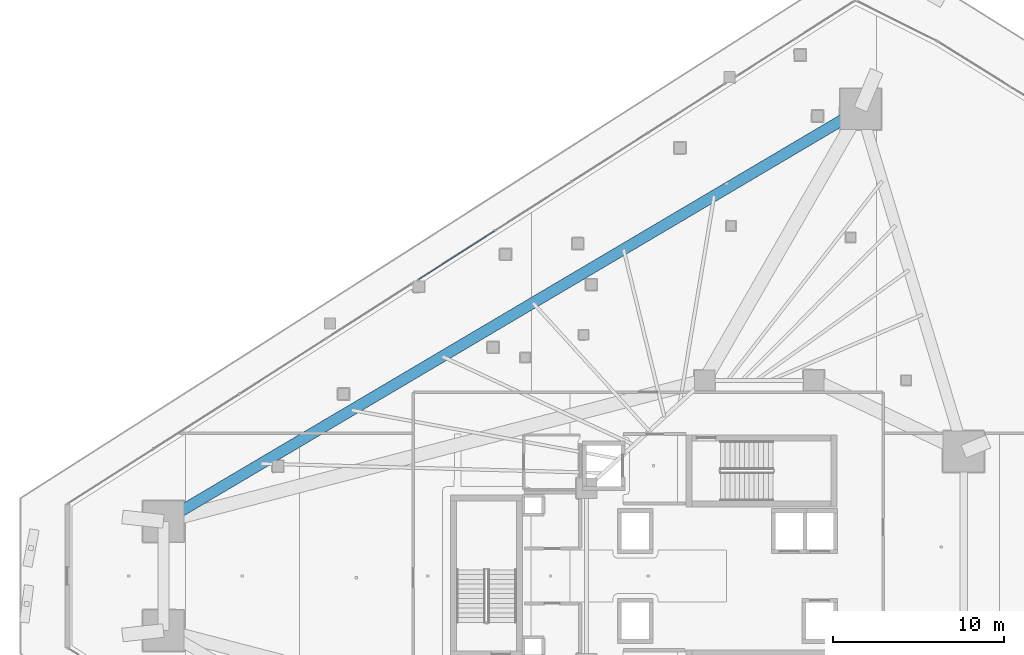
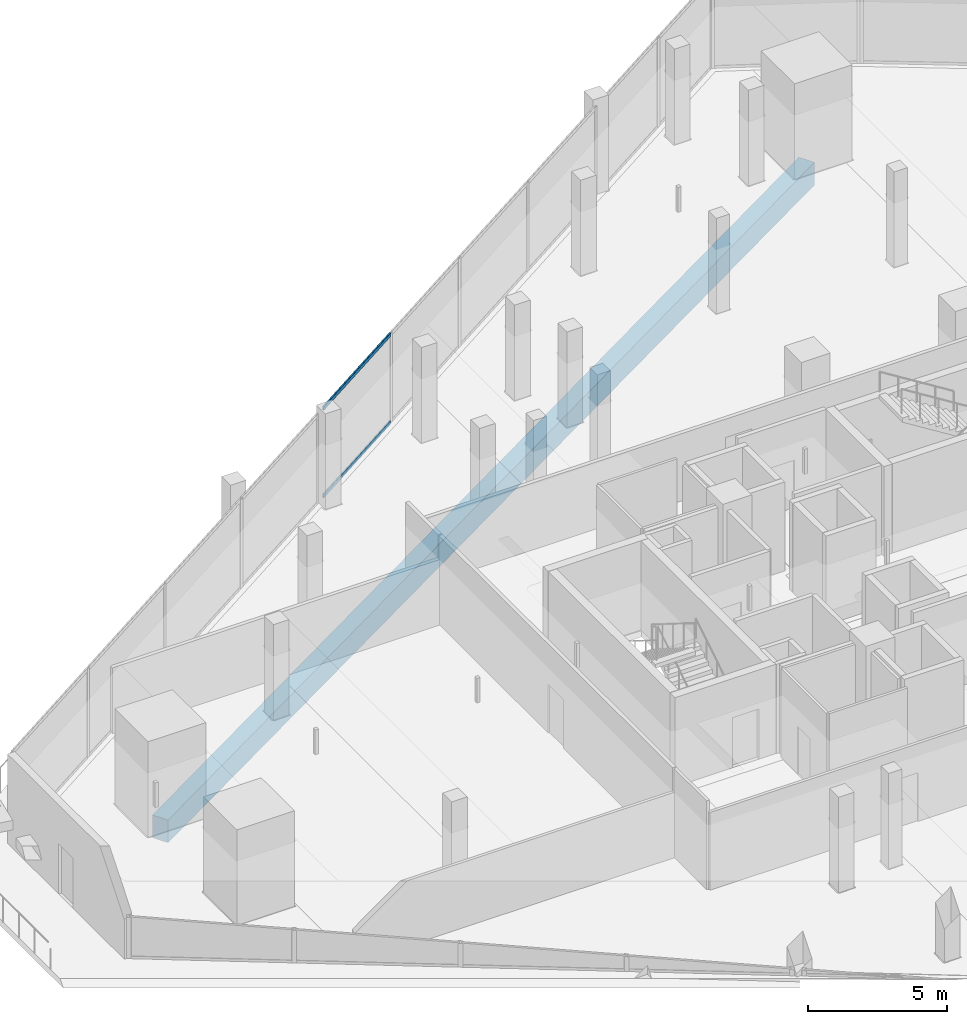
# One storey, part 17 of 42: 2 members, 1 beam, 1 element without a shape of its own.
"""IFC4 building model written with IfcOpenShell, lengths in metres."""

import ifcopenshell
import ifcopenshell.guid

model = None  # the IFC model being written
_history = None  # IfcOwnerHistory: only IFC2X3 demands one
_inside = {}  # id of a spatial element -> (the spatial element, [elements in it])
_under = {}  # id of a project, library or spatial element -> (it, [spatial elements below it])
_declared = {}  # id of a project -> (the project, [libraries it declares])
_typed = {}  # id of a type object -> (the type object, [elements of that type])
_made_of = {}  # id of a material, layer set ... -> (it, [elements and type objects made of it])


def new_model(schema):
    """Start an empty IFC model of exactly this schema.

    Asked for "IFC4X3", IfcOpenShell would pick the latest addendum, in which some entities
    have other attributes; the version numbers below select the first issue.
    IFC2X3 requires an IfcOwnerHistory on every rooted entity: one is made here for all.
    """
    global model, _history
    if schema == "IFC4X3":
        model = ifcopenshell.file(schema_version=(4, 3, 0, 0))
    else:
        model = ifcopenshell.file(schema=schema)
    _inside.clear()
    _under.clear()
    _declared.clear()
    _typed.clear()
    _made_of.clear()
    _history = None
    if model.schema == "IFC2X3":
        org = make("IfcOrganization", Name="unknown")
        user = make(
            "IfcPersonAndOrganization",
            ThePerson=make("IfcPerson", FamilyName="unknown"),
            TheOrganization=org,
        )
        app = make(
            "IfcApplication",
            ApplicationDeveloper=org,
            Version="unknown",
            ApplicationFullName="unknown",
            ApplicationIdentifier="unknown",
        )
        _history = make(
            "IfcOwnerHistory",
            OwningUser=user,
            OwningApplication=app,
            ChangeAction="ADDED",
            CreationDate=0,
        )
    return model


def make(cls, **values):
    """One entity of the class cls with the attributes given. An attribute that is None is left unset."""
    return model.create_entity(
        cls, **{name: value for name, value in values.items() if value is not None}
    )


def rooted(cls, **values):
    """An entity with a GlobalId (a new one), such as an element, a storey or a relation."""
    return make(cls, GlobalId=ifcopenshell.guid.new(), OwnerHistory=_history, **values)


def si_unit(unit_type, name, prefix=None):
    """IfcSIUnit, for example si_unit("LENGTHUNIT", "METRE", prefix="MILLI")."""
    return make("IfcSIUnit", UnitType=unit_type, Prefix=prefix, Name=name)


def assignment(units):
    """IfcUnitAssignment: the units of a project."""
    return None if units is None else make("IfcUnitAssignment", Units=units)


def point(xyz):
    """IfcCartesianPoint."""
    return None if xyz is None else make("IfcCartesianPoint", Coordinates=xyz)


def direction(xyz):
    """IfcDirection."""
    return None if xyz is None else make("IfcDirection", DirectionRatios=xyz)


def frame(location, z_axis=None, x_axis=None):
    """IfcAxis2Placement3D, a coordinate frame: its origin and axes. An axis left out is left unset."""
    return make(
        "IfcAxis2Placement3D",
        Location=point(location),
        Axis=direction(z_axis),
        RefDirection=direction(x_axis),
    )


def frame_2d(location, x_axis=None):
    """IfcAxis2Placement2D, a coordinate frame in the plane: its origin and x axis."""
    return make(
        "IfcAxis2Placement2D", Location=point(location), RefDirection=direction(x_axis)
    )


def origin():
    """The frame at (0, 0, 0) with its axes left unset."""
    return frame((0.0, 0.0, 0.0))


def origin_2d():
    """The frame at (0, 0) in the plane with its x axis left unset."""
    return frame_2d((0.0, 0.0))


def place(relative_to, where):
    """IfcLocalPlacement: puts the frame where relative to a parent placement (None: the world)."""
    return make(
        "IfcLocalPlacement", PlacementRelTo=relative_to, RelativePlacement=where
    )


def context(
    kind, dimensions, precision=None, world=None, true_north=None, identifier=None
):
    """IfcGeometricRepresentationContext, for example the 3D "Model" context."""
    return make(
        "IfcGeometricRepresentationContext",
        ContextIdentifier=identifier,
        ContextType=kind,
        CoordinateSpaceDimension=dimensions,
        Precision=precision,
        WorldCoordinateSystem=world,
        TrueNorth=true_north,
    )


def subcontext(parent, identifier, kind, view, scale=None):
    """IfcGeometricRepresentationSubContext, for example "Body" below "Model"."""
    return make(
        "IfcGeometricRepresentationSubContext",
        ContextIdentifier=identifier,
        ContextType=kind,
        ParentContext=parent,
        TargetScale=scale,
        TargetView=view,
    )


def project(units=None, contexts=None):
    """IfcProject with its units and contexts."""
    return rooted(
        "IfcProject",
        Name="project",
        RepresentationContexts=contexts,
        UnitsInContext=assignment(units),
    )


def spatial(cls, under=None, at=None, **own):
    """A site, building, storey or space (cls), placed at a placement, below another one or the project."""
    s = rooted(cls, ObjectPlacement=at, **own)
    if under is not None:
        _under.setdefault(under.id(), (under, []))[1].append(s)
    return s


def profile(cls, at=None, kind="AREA", **sizes):
    """A parametric profile (cls). Its sizes go by their IFC names, for example OverallWidth=200.0."""
    return make(cls, ProfileType=kind, Position=at, **sizes)


def rectangle(**sizes):
    """IfcRectangleProfileDef."""
    return profile("IfcRectangleProfileDef", **sizes)


def hollow_rectangle(**sizes):
    """IfcRectangleHollowProfileDef."""
    return profile("IfcRectangleHollowProfileDef", **sizes)


def extrude(swept, where, along, depth):
    """IfcExtrudedAreaSolid: the profile swept, set in the frame where, extruded along a direction by depth."""
    return make(
        "IfcExtrudedAreaSolid",
        SweptArea=swept,
        Position=where,
        ExtrudedDirection=direction(along),
        Depth=depth,
    )


def shape(context_of_items, identifier, shape_type, items):
    """IfcShapeRepresentation: the items that make up one representation, for example the "Body"."""
    return make(
        "IfcShapeRepresentation",
        ContextOfItems=context_of_items,
        RepresentationIdentifier=identifier,
        RepresentationType=shape_type,
        Items=items,
    )


def material(Name=None, Category=None):
    """IfcMaterial."""
    return make("IfcMaterial", Name=Name, Category=Category)


def layer(
    of_material, thickness, ventilated=None, Name=None, Category=None, Priority=None
):
    """IfcMaterialLayer: one layer of a wall or slab, of a material (None: an air gap)."""
    return make(
        "IfcMaterialLayer",
        Material=of_material,
        LayerThickness=thickness,
        IsVentilated=ventilated,
        Name=Name,
        Category=Category,
        Priority=Priority,
    )


def layer_set(layers, Name=None):
    """IfcMaterialLayerSet."""
    return make("IfcMaterialLayerSet", MaterialLayers=layers, LayerSetName=Name)


def material_profile(
    of_material, cross_section, Name=None, Category=None, Priority=None
):
    """IfcMaterialProfile: a cross section and its material."""
    return make(
        "IfcMaterialProfile",
        Name=Name,
        Material=of_material,
        Profile=cross_section,
        Priority=Priority,
        Category=Category,
    )


def profile_set(profiles, Name=None, composite=None):
    """IfcMaterialProfileSet."""
    return make(
        "IfcMaterialProfileSet",
        Name=Name,
        MaterialProfiles=profiles,
        CompositeProfile=composite,
    )


def made_of(thing, what):
    """Note that an element or type object is made of a material, layer set ...; save() writes the relation."""
    if what is not None:
        _made_of.setdefault(what.id(), (what, []))[1].append(thing)
    return thing


def type_object(cls, material=None, **own):
    """A type object (cls), such as IfcWallType, which elements share."""
    return made_of(rooted(cls, **own), material)


def element(
    cls,
    number,
    at=None,
    inside=None,
    cuts=None,
    type_object=None,
    material=None,
    context=None,
    identifier="Body",
    shape_type=None,
    held_by="IfcProductDefinitionShape",
    body=None,
    shapes=None,
    **own,
):
    """One element of the class cls, such as IfcWall. Its Tag is "e" and its number.

    at: its placement. inside: the storey or other place that contains it. cuts: it is an
    opening in that element (IfcRelVoidsElement). A single representation is given by context,
    identifier, shape_type and body (its items); several are given by shapes. held_by: the class
    of the entity that holds the representations. save() writes the other relations.
    """
    e = rooted(cls, Tag="e%d" % number, ObjectPlacement=at, **own)
    if body is not None:
        shapes = [shape(context, identifier, shape_type, body)]
    if shapes is not None:
        e.Representation = make(held_by, Representations=shapes)
    if inside is not None:
        _inside.setdefault(inside.id(), (inside, []))[1].append(e)
    if cuts is not None:
        rooted(
            "IfcRelVoidsElement", RelatingBuildingElement=cuts, RelatedOpeningElement=e
        )
    if type_object is not None:
        _typed.setdefault(type_object.id(), (type_object, []))[1].append(e)
    return made_of(e, material)


def aggregate(whole, parts):
    """IfcRelAggregates: a whole, such as a stair, and the parts it consists of."""
    return rooted("IfcRelAggregates", RelatingObject=whole, RelatedObjects=parts)


def save(model, path):
    """Write the relations noted so far, then the file.

    IfcRelAggregates (storeys below a building ...), IfcRelContainedInSpatialStructure (elements
    in a storey), IfcRelDefinesByType, IfcRelAssociatesMaterial and IfcRelDeclares: one each for
    every whole, place, type object, material and project.
    """
    for whole, parts in _under.values():
        aggregate(whole, parts)
    for where, things in _inside.values():
        rooted(
            "IfcRelContainedInSpatialStructure",
            RelatedElements=things,
            RelatingStructure=where,
        )
    for kind, things in _typed.values():
        rooted("IfcRelDefinesByType", RelatedObjects=things, RelatingType=kind)
    for what, things in _made_of.values():
        rooted("IfcRelAssociatesMaterial", RelatedObjects=things, RelatingMaterial=what)
    for by, libraries in _declared.values():
        rooted("IfcRelDeclares", RelatingContext=by, RelatedDefinitions=libraries)
    model.write(path)


model = new_model("IFC4")

# Units and contexts
model_context = context("Model", 3, precision=1e-05, world=origin(), true_north=direction((0.0, 1.0)))
body_context = subcontext(model_context, "Body", "Model", "MODEL_VIEW")
ifc_project = project(units=[si_unit("LENGTHUNIT", "METRE"), si_unit("AREAUNIT", "SQUARE_METRE"), si_unit("VOLUMEUNIT", "CUBIC_METRE"), si_unit("PLANEANGLEUNIT", "RADIAN"), si_unit("MASSUNIT", "GRAM", prefix="KILO")], contexts=[model_context])

# Site, building, storey
site_placement = place(None, origin())
site = spatial("IfcSite", under=ifc_project, at=site_placement, CompositionType="ELEMENT")
building_placement = place(site_placement, origin())
building = spatial("IfcBuilding", under=site, at=building_placement, Name="Qorvath Tower", CompositionType="ELEMENT")
storey_placement = place(building_placement, frame((0.0, 0.0, 32.39990234375)))
storey = spatial("IfcBuildingStorey", under=building, at=storey_placement, Name="L06", CompositionType="ELEMENT", Elevation=32.39990234375)

# Beam
ifc_material_1 = material(Name="Concrete C50/60", Category="concrete")
ifc_material_profile_1 = material_profile(ifc_material_1, rectangle(XDim=0.64990234375, YDim=1.0, at=origin_2d()), Name="RCB 1000x650")
ifc_profile_set_1 = profile_set([ifc_material_profile_1], Name="Concrete C50/60")
beam_type = type_object("IfcBeamType", Name="BM-RCB1", PredefinedType="SPANDREL", material=ifc_profile_set_1)
beam_placement = place(storey_placement, frame((-14.46435546875, 27.330810546875, -0.77978515625), z_axis=(-0.860777360917, -0.508981664633, 0.0), x_axis=(0.508981664633, -0.860777360917, 0.0)))
element("IfcBeam", 1, at=beam_placement, inside=storey, type_object=beam_type, Name="Perimeter Loggia Frame Beam MC6-MC1 L06", PredefinedType="SPANDREL", context=body_context, shape_type="SweptSolid", body=[
    extrude(rectangle(XDim=0.64990234375, YDim=1.0, at=origin_2d()), origin(), (0.0, 0.0, 1.0), 47.420654296875),
])

# Curtain wall, members
ifc_material_2 = material(Name="Anodised aluminium and triple low-E glass", Category="aluminium")
ifc_layer = layer(ifc_material_2, 0.179931640625)
ifc_layer_set = layer_set([ifc_layer], Name="CW-SYS-2")
curtain_wall_type = type_object("IfcCurtainWallType", Name="CW-SYS-2", PredefinedType="NOTDEFINED", material=ifc_layer_set)
curtain_wall_placement = place(storey_placement, origin())
curtain_wall = element("IfcCurtainWall", 2, at=curtain_wall_placement, inside=storey, type_object=curtain_wall_type, Name="Curtain Wall CW-2 CW-T-L06-16.2", PredefinedType="NOTDEFINED")
ifc_material_3 = material(Name="Anodised aluminium 6063-T6", Category="aluminium")
ifc_material_profile_2 = material_profile(ifc_material_3, hollow_rectangle(XDim=0.06494140625, YDim=0.159912109375, WallThickness=0.00341796875, InnerFilletRadius=0.00341796875, OuterFilletRadius=0.007080078125, at=origin_2d()), Name="CWT 160x65")
ifc_profile_set_2 = profile_set([ifc_material_profile_2], Name="Anodised aluminium 6063-T6")
member_type = type_object("IfcMemberType", Name="CWT-160", PredefinedType="USERDEFINED", material=ifc_profile_set_2)
member_1_placement = place(storey_placement, frame((-35.909912109375, 20.185791015625, 0.032470703125), z_axis=(-0.842592429827, -0.53855175907, 0.0), x_axis=(0.53855175907, -0.842592429827, 0.0)))
member_1 = element("IfcMember", 3, at=member_1_placement, type_object=member_type, Name="CW-2 transom 4.1", ObjectType="TRANSOM", PredefinedType="USERDEFINED", context=body_context, shape_type="SweptSolid", body=[
    extrude(hollow_rectangle(XDim=0.06494140625, YDim=0.159912109375, WallThickness=0.00341796875, InnerFilletRadius=0.00341796875, OuterFilletRadius=0.007080078125, at=origin_2d()), origin(), (0.0, 0.0, 1.0), 5.245849609375),
])
member_2_placement = place(storey_placement, frame((-35.909912109375, 20.185791015625, 3.8876953125), z_axis=(-0.842592429827, -0.53855175907, 0.0), x_axis=(0.53855175907, -0.842592429827, 0.0)))
member_2 = element("IfcMember", 4, at=member_2_placement, type_object=member_type, Name="CW-2 transom 4.2", ObjectType="TRANSOM", PredefinedType="USERDEFINED", context=body_context, shape_type="SweptSolid", body=[
    extrude(hollow_rectangle(XDim=0.06494140625, YDim=0.159912109375, WallThickness=0.00341796875, InnerFilletRadius=0.00341796875, OuterFilletRadius=0.007080078125, at=origin_2d()), origin(), (0.0, 0.0, 1.0), 5.245849609375),
])
aggregate(curtain_wall, [member_1, member_2])

save(model, "model.ifc")
